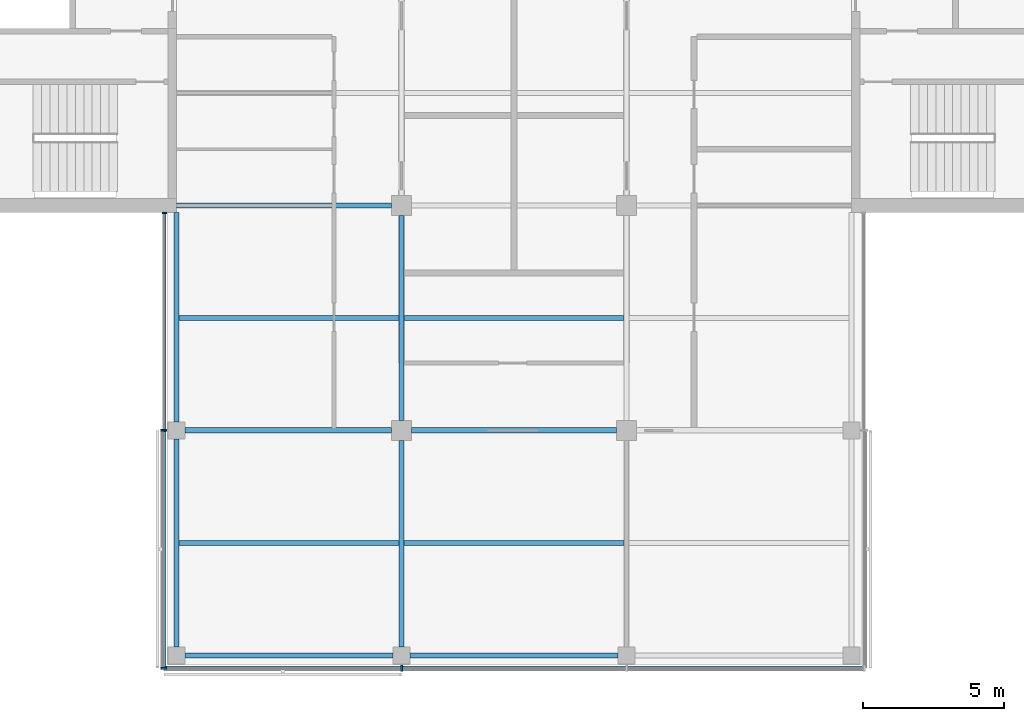
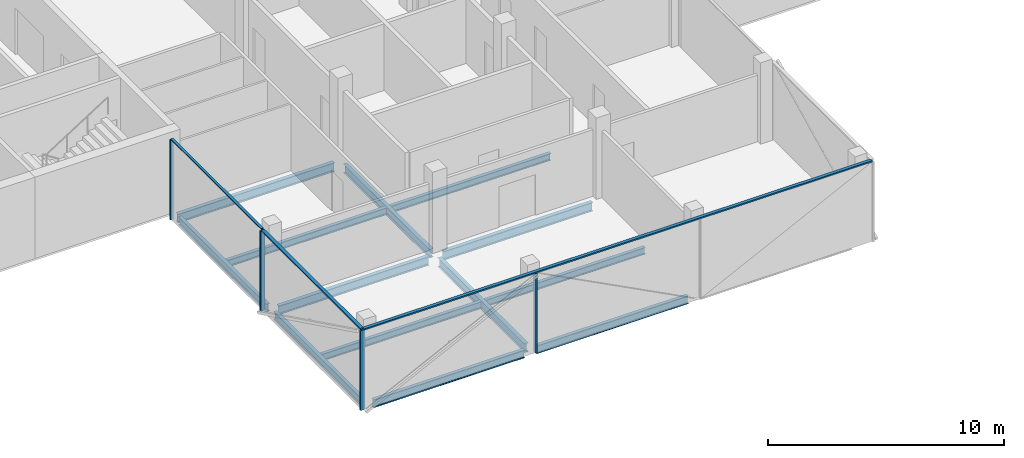
# One storey, part 2 of 16: 13 beams, 8 members, 3 elements without a shape of their own.
"""IFC4 building model written with IfcOpenShell, lengths in metres."""

from ifc_helpers import new_model, si_unit, direction, frame, origin, origin_2d, place, context, subcontext, project, spatial, rectangle, i_section, extrude, material, material_profile, profile_set, type_object, element, aggregate, save


model = new_model("IFC4")

# Units and contexts
model_context = context("Model", 3, precision=1e-05, world=origin(), true_north=direction((0.0, 1.0)))
body_context = subcontext(model_context, "Body", "Model", "MODEL_VIEW")
ifc_project = project(units=[si_unit("LENGTHUNIT", "METRE"), si_unit("AREAUNIT", "SQUARE_METRE"), si_unit("VOLUMEUNIT", "CUBIC_METRE"), si_unit("PLANEANGLEUNIT", "RADIAN"), si_unit("MASSUNIT", "GRAM", prefix="KILO")], contexts=[model_context])

# Site, building, storey
site_placement = place(None, origin())
site = spatial("IfcSite", under=ifc_project, at=site_placement, CompositionType="ELEMENT")
building_placement = place(site_placement, origin())
building = spatial("IfcBuilding", under=site, at=building_placement, Name="Crosswind Convention Tower", CompositionType="ELEMENT")
storey_placement = place(building_placement, frame((0.0, 0.0, 282.89990234375)))
storey = spatial("IfcBuildingStorey", under=building, at=storey_placement, Name="L61", CompositionType="ELEMENT", Elevation=282.89990234375)

# Beams
ifc_material_1 = material(Name="Steel S355", Category="steel")
ifc_material_profile_1 = material_profile(ifc_material_1, i_section(OverallWidth=0.177734375, OverallDepth=0.406494140625, WebThickness=0.0078125, FlangeThickness=0.0126953125, FilletRadius=0.01025390625, at=origin_2d()), Name="UB 406x178x60")
ifc_profile_set_1 = profile_set([ifc_material_profile_1], Name="Steel S355")
beam_type_1 = type_object("IfcBeamType", Name="Edge beam UB 406x178x60", PredefinedType="SPANDREL", material=ifc_profile_set_1)
beam_1_placement = place(storey_placement, frame((113.0, 72.300048828125, -0.503173828125), z_axis=(0.0, 1.0, 0.0), x_axis=(-1.0, 0.0, 0.0)))
element("IfcBeam", 1, at=beam_1_placement, inside=storey, type_object=beam_type_1, Name="B15 L61 edge beam 1", PredefinedType="SPANDREL", context=body_context, shape_type="SweptSolid", body=[
    extrude(i_section(OverallWidth=0.177734375, OverallDepth=0.406494140625, WebThickness=0.0078125, FlangeThickness=0.0126953125, FilletRadius=0.01025390625, at=origin_2d()), origin(), (0.0, 0.0, 1.0), 7.39990234375),
])
beam_2_placement = place(storey_placement, frame((113.0, 80.300048828125, -0.503173828125), z_axis=(0.0, 1.0, 0.0), x_axis=(-1.0, 0.0, 0.0)))
element("IfcBeam", 2, at=beam_2_placement, inside=storey, type_object=beam_type_1, Name="B15 L61 edge beam 2", PredefinedType="SPANDREL", context=body_context, shape_type="SweptSolid", body=[
    extrude(i_section(OverallWidth=0.177734375, OverallDepth=0.406494140625, WebThickness=0.0078125, FlangeThickness=0.0126953125, FilletRadius=0.01025390625, at=origin_2d()), origin(), (0.0, 0.0, 1.0), 7.449951171875),
])
for number, where, z_axis, x_axis, name in (
    (3, (113.300048828125, 72.0, -0.503173828125), (1.0, 0.0, 0.0), (0.0, 1.0, 0.0), "B15 L61 edge beam 5"),
    (4, (121.300048828125, 72.0, -0.503173828125), (1.0, 0.0, 0.0), (0.0, 1.0, 0.0), "B15 L61 edge beam 7"),
):
    element("IfcBeam", number, at=place(storey_placement, frame(where, z_axis=z_axis, x_axis=x_axis)), inside=storey, type_object=beam_type_1, Name=name, PredefinedType="SPANDREL", context=body_context, shape_type="SweptSolid", body=[
        extrude(i_section(OverallWidth=0.177734375, OverallDepth=0.406494140625, WebThickness=0.0078125, FlangeThickness=0.0126953125, FilletRadius=0.01025390625, at=origin_2d()), origin(), (0.0, 0.0, 1.0), 7.39990234375),
    ])
ifc_material_profile_2 = material_profile(ifc_material_1, i_section(OverallWidth=0.18994140625, OverallDepth=0.45361328125, WebThickness=0.008544921875, FlangeThickness=0.0126953125, FilletRadius=0.01025390625, at=origin_2d()), Name="UB 457x191x67")
ifc_profile_set_2 = profile_set([ifc_material_profile_2], Name="Steel S355")
beam_type_2 = type_object("IfcBeamType", Name="Girder UB 457x191x67", PredefinedType="BEAM", material=ifc_profile_set_2)
for number, where, z_axis, x_axis, name in (
    (5, (113.300048828125, 80.0, -0.526611328125), (1.0, 0.0, 0.0), (0.0, 1.0, 0.0), "B1 L61 girder 1"),
    (6, (121.0, 72.300048828125, -0.526611328125), (0.0, 1.0, 0.0), (-1.0, 0.0, 0.0), "B1 L61 girder 3"),
):
    element("IfcBeam", number, at=place(storey_placement, frame(where, z_axis=z_axis, x_axis=x_axis)), inside=storey, type_object=beam_type_2, Name=name, PredefinedType="BEAM", context=body_context, shape_type="SweptSolid", body=[
        extrude(i_section(OverallWidth=0.18994140625, OverallDepth=0.45361328125, WebThickness=0.008544921875, FlangeThickness=0.0126953125, FilletRadius=0.01025390625, at=origin_2d()), origin(), (0.0, 0.0, 1.0), 7.349853515625),
    ])
for number, where, z_axis, x_axis, name in (
    (7, (121.0, 80.35009765625, -0.526611328125), (0.0, 1.0, 0.0), (-1.0, 0.0, 0.0), "B1 L61 girder 4"),
    (8, (121.35009765625, 80.0, -0.526611328125), (1.0, 0.0, 0.0), (0.0, 1.0, 0.0), "B1 L61 girder 10"),
):
    element("IfcBeam", number, at=place(storey_placement, frame(where, z_axis=z_axis, x_axis=x_axis)), inside=storey, type_object=beam_type_2, Name=name, PredefinedType="BEAM", context=body_context, shape_type="SweptSolid", body=[
        extrude(i_section(OverallWidth=0.18994140625, OverallDepth=0.45361328125, WebThickness=0.008544921875, FlangeThickness=0.0126953125, FilletRadius=0.01025390625, at=origin_2d()), origin(), (0.0, 0.0, 1.0), 7.2998046875),
    ])
ifc_material_profile_3 = material_profile(ifc_material_1, i_section(OverallWidth=0.1904296875, OverallDepth=0.457275390625, WebThickness=0.009033203125, FlangeThickness=0.014404296875, FilletRadius=0.01025390625, at=origin_2d()), Name="UB 457x191x75")
ifc_profile_set_3 = profile_set([ifc_material_profile_3], Name="Steel S355")
beam_type_3 = type_object("IfcBeamType", Name="Girder at core wall UB 457x191x75", PredefinedType="BEAM", material=ifc_profile_set_3)
beam_3_placement = place(storey_placement, frame((113.0, 88.0, -0.528564453125), z_axis=(1.0, 0.0, 0.0), x_axis=(0.0, 1.0, 0.0)))
element("IfcBeam", 9, at=beam_3_placement, inside=storey, type_object=beam_type_3, Name="B22 L61 girder at core wall 1", PredefinedType="BEAM", context=body_context, shape_type="SweptSolid", body=[
    extrude(i_section(OverallWidth=0.1904296875, OverallDepth=0.457275390625, WebThickness=0.009033203125, FlangeThickness=0.014404296875, FilletRadius=0.01025390625, at=origin_2d()), origin(), (0.0, 0.0, 1.0), 7.64990234375),
])

# Curtain wall, members
ifc_material_2 = material(Name="Aluminium unitised curtain wall", Category="aluminium")
curtain_wall_type_1 = type_object("IfcCurtainWallType", Name="CORE END SLOT WALL 160", PredefinedType="USERDEFINED", material=ifc_material_2)
curtain_wall_1_placement = place(storey_placement, origin())
curtain_wall_1 = element("IfcCurtainWall", 10, at=curtain_wall_1_placement, inside=storey, type_object=curtain_wall_type_1, Name="CW6 L61 S-W.1-1 slot", ObjectType="UNITISED", PredefinedType="USERDEFINED")
ifc_material_3 = material(Name="Aluminium mullion", Category="aluminium")
ifc_material_profile_4 = material_profile(ifc_material_3, rectangle(XDim=0.159912109375, YDim=0.050048828125, at=origin_2d()), Name="AL 160X50")
ifc_profile_set_4 = profile_set([ifc_material_profile_4], Name="Aluminium mullion")
member_type_1 = type_object("IfcMemberType", Name="MULLION 50X160", PredefinedType="MULLION", material=ifc_profile_set_4)
member_1_placement = place(storey_placement, frame((112.570068359375, 87.72509765625, -0.2998046875), z_axis=(0.0, 0.0, 1.0), x_axis=(-1.0, 0.0, 0.0)))
member_1 = element("IfcMember", 11, at=member_1_placement, type_object=member_type_1, Name="CW6 mullion 1", PredefinedType="MULLION", context=body_context, shape_type="SweptSolid", body=[
    extrude(rectangle(XDim=0.159912109375, YDim=0.050048828125, at=origin_2d()), origin(), (0.0, 0.0, 1.0), 4.14990234375),
])
member_2_placement = place(storey_placement, frame((112.570068359375, 80.02490234375, -0.2998046875), z_axis=(0.0, 0.0, 1.0), x_axis=(-1.0, 0.0, 0.0)))
member_2 = element("IfcMember", 12, at=member_2_placement, type_object=member_type_1, Name="CW6 mullion 2", PredefinedType="MULLION", context=body_context, shape_type="SweptSolid", body=[
    extrude(rectangle(XDim=0.159912109375, YDim=0.050048828125, at=origin_2d()), origin(), (0.0, 0.0, 1.0), 4.14990234375),
])

curtain_wall_type_2 = type_object("IfcCurtainWallType", Name="OFFICE UNITISED WALL 220", PredefinedType="USERDEFINED", material=ifc_material_2)
curtain_wall_2_placement = place(storey_placement, origin())
curtain_wall_2 = element("IfcCurtainWall", 13, at=curtain_wall_2_placement, inside=storey, type_object=curtain_wall_type_2, Name="CW3 L61 S-W 1", ObjectType="UNITISED", PredefinedType="USERDEFINED")
ifc_material_profile_5 = material_profile(ifc_material_3, rectangle(XDim=0.219970703125, YDim=0.070068359375, at=origin_2d()), Name="AL 220X70")
ifc_profile_set_5 = profile_set([ifc_material_profile_5], Name="Aluminium mullion")
member_type_2 = type_object("IfcMemberType", Name="MULLION 70X220", PredefinedType="MULLION", material=ifc_profile_set_5)
member_3_placement = place(storey_placement, frame((112.5400390625, 80.0, -0.2998046875), z_axis=(0.0, 0.0, 1.0), x_axis=(-1.0, 0.0, 0.0)))
member_3 = element("IfcMember", 14, at=member_3_placement, type_object=member_type_2, Name="CW3 mullion 1", PredefinedType="MULLION", context=body_context, shape_type="SweptSolid", body=[
    extrude(rectangle(XDim=0.219970703125, YDim=0.070068359375, at=origin_2d()), origin(), (0.0, 0.0, 1.0), 4.1298828125),
])
member_4_placement = place(storey_placement, frame((112.5400390625, 71.5400390625, -0.2998046875), z_axis=(0.0, 0.0, 1.0), x_axis=(-1.0, 0.0, 0.0)))
member_4 = element("IfcMember", 15, at=member_4_placement, type_object=member_type_2, Name="CW3 mullion 2", PredefinedType="MULLION", context=body_context, shape_type="SweptSolid", body=[
    extrude(rectangle(XDim=0.219970703125, YDim=0.070068359375, at=origin_2d()), origin(), (0.0, 0.0, 1.0), 4.1298828125),
])

# Curtain wall, member
curtain_wall_3_placement = place(storey_placement, origin())
curtain_wall_3 = element("IfcCurtainWall", 16, at=curtain_wall_3_placement, inside=storey, type_object=curtain_wall_type_2, Name="CW3 L61 S-TIP 1", ObjectType="UNITISED", PredefinedType="USERDEFINED")
member_5_placement = place(storey_placement, frame((121.0, 71.5400390625, -0.2998046875), z_axis=(0.0, 0.0, 1.0), x_axis=(0.0, -1.0, 0.0)))
member_5 = element("IfcMember", 17, at=member_5_placement, type_object=member_type_2, Name="CW3 mullion 2", PredefinedType="MULLION", context=body_context, shape_type="SweptSolid", body=[
    extrude(rectangle(XDim=0.219970703125, YDim=0.070068359375, at=origin_2d()), origin(), (0.0, 0.0, 1.0), 4.1298828125),
])

# Beams
ifc_material_profile_6 = material_profile(ifc_material_1, i_section(OverallWidth=0.17138671875, OverallDepth=0.355712890625, WebThickness=0.00732421875, FlangeThickness=0.011474609375, FilletRadius=0.01025390625, at=origin_2d()), Name="UB 356x171x51")
ifc_profile_set_6 = profile_set([ifc_material_profile_6], Name="Steel S355")
beam_type_4 = type_object("IfcBeamType", Name="Secondary beam UB 356x171x51", PredefinedType="JOIST", material=ifc_profile_set_6)
for number, where, z_axis, x_axis, name in (
    (18, (113.0888671875, 76.0, -0.477783203125), (1.0, 0.0, 0.0), (0.0, 1.0, 0.0), "B8 L61 secondary beam 4"),
    (19, (113.0888671875, 84.0, -0.477783203125), (1.0, 0.0, 0.0), (0.0, 1.0, 0.0), "B8 L61 secondary beam 5"),
):
    element("IfcBeam", number, at=place(storey_placement, frame(where, z_axis=z_axis, x_axis=x_axis)), inside=storey, type_object=beam_type_4, Name=name, PredefinedType="JOIST", context=body_context, shape_type="SweptSolid", body=[
        extrude(i_section(OverallWidth=0.17138671875, OverallDepth=0.355712890625, WebThickness=0.00732421875, FlangeThickness=0.011474609375, FilletRadius=0.01025390625, at=origin_2d()), origin(), (0.0, 0.0, 1.0), 7.816162109375),
    ])
for number, where, z_axis, x_axis, name in (
    (20, (121.094970703125, 76.0, -0.477783203125), (1.0, 0.0, 0.0), (0.0, 1.0, 0.0), "B8 L61 secondary beam 8"),
    (21, (121.094970703125, 84.0, -0.477783203125), (1.0, 0.0, 0.0), (0.0, 1.0, 0.0), "B8 L61 secondary beam 9"),
):
    element("IfcBeam", number, at=place(storey_placement, frame(where, z_axis=z_axis, x_axis=x_axis)), inside=storey, type_object=beam_type_4, Name=name, PredefinedType="JOIST", context=body_context, shape_type="SweptSolid", body=[
        extrude(i_section(OverallWidth=0.17138671875, OverallDepth=0.355712890625, WebThickness=0.00732421875, FlangeThickness=0.011474609375, FilletRadius=0.01025390625, at=origin_2d()), origin(), (0.0, 0.0, 1.0), 7.81005859375),
    ])

# Member
ifc_material_4 = material(Name="Aluminium transom", Category="aluminium")
ifc_material_profile_7 = material_profile(ifc_material_4, rectangle(XDim=0.1201171875, YDim=0.050048828125, at=origin_2d()), Name="AL 120X50")
ifc_profile_set_7 = profile_set([ifc_material_profile_7], Name="Aluminium transom")
member_type_3 = type_object("IfcMemberType", Name="TRANSOM 50X120", PredefinedType="USERDEFINED", material=ifc_profile_set_7)
member_6_placement = place(storey_placement, frame((112.570068359375, 87.699951171875, 3.875), z_axis=(0.0, -1.0, 0.0), x_axis=(1.0, 0.0, 0.0)))
member_6 = element("IfcMember", 22, at=member_6_placement, type_object=member_type_3, Name="CW6 transom", ObjectType="TRANSOM", PredefinedType="USERDEFINED", context=body_context, shape_type="SweptSolid", body=[
    extrude(rectangle(XDim=0.1201171875, YDim=0.050048828125, at=origin_2d()), origin(), (0.0, 0.0, 1.0), 7.64990234375),
])

aggregate(curtain_wall_1, [member_1, member_2, member_6])

ifc_material_profile_8 = material_profile(ifc_material_4, rectangle(XDim=0.159912109375, YDim=0.070068359375, at=origin_2d()), Name="AL 160X70")
ifc_profile_set_8 = profile_set([ifc_material_profile_8], Name="Aluminium transom")
member_type_4 = type_object("IfcMemberType", Name="TRANSOM 70X160", PredefinedType="USERDEFINED", material=ifc_profile_set_8)
member_7_placement = place(storey_placement, frame((112.5400390625, 79.965087890625, 3.864990234375), z_axis=(0.0, -1.0, 0.0), x_axis=(1.0, 0.0, 0.0)))
member_7 = element("IfcMember", 23, at=member_7_placement, type_object=member_type_4, Name="CW3 transom", ObjectType="TRANSOM", PredefinedType="USERDEFINED", context=body_context, shape_type="SweptSolid", body=[
    extrude(rectangle(XDim=0.159912109375, YDim=0.070068359375, at=origin_2d()), origin(), (0.0, 0.0, 1.0), 8.39013671875),
])

aggregate(curtain_wall_2, [member_3, member_4, member_7])

member_8_placement = place(storey_placement, frame((112.574951171875, 71.5400390625, 3.864990234375), z_axis=(1.0, 0.0, 0.0), x_axis=(0.0, 1.0, 0.0)))
member_8 = element("IfcMember", 24, at=member_8_placement, type_object=member_type_4, Name="CW3 transom", ObjectType="TRANSOM", PredefinedType="USERDEFINED", context=body_context, shape_type="SweptSolid", body=[
    extrude(rectangle(XDim=0.159912109375, YDim=0.070068359375, at=origin_2d()), origin(), (0.0, 0.0, 1.0), 24.85009765625),
])

aggregate(curtain_wall_3, [member_5, member_8])

save(model, "model.ifc")
